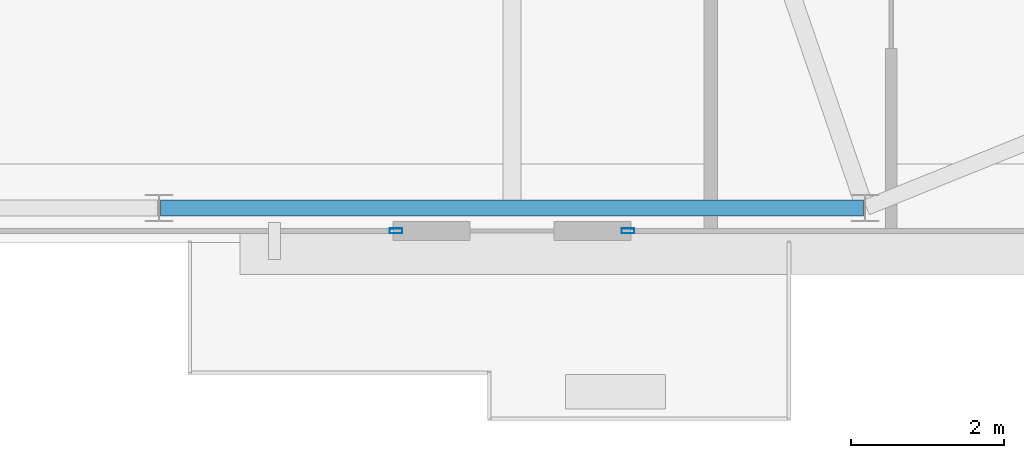
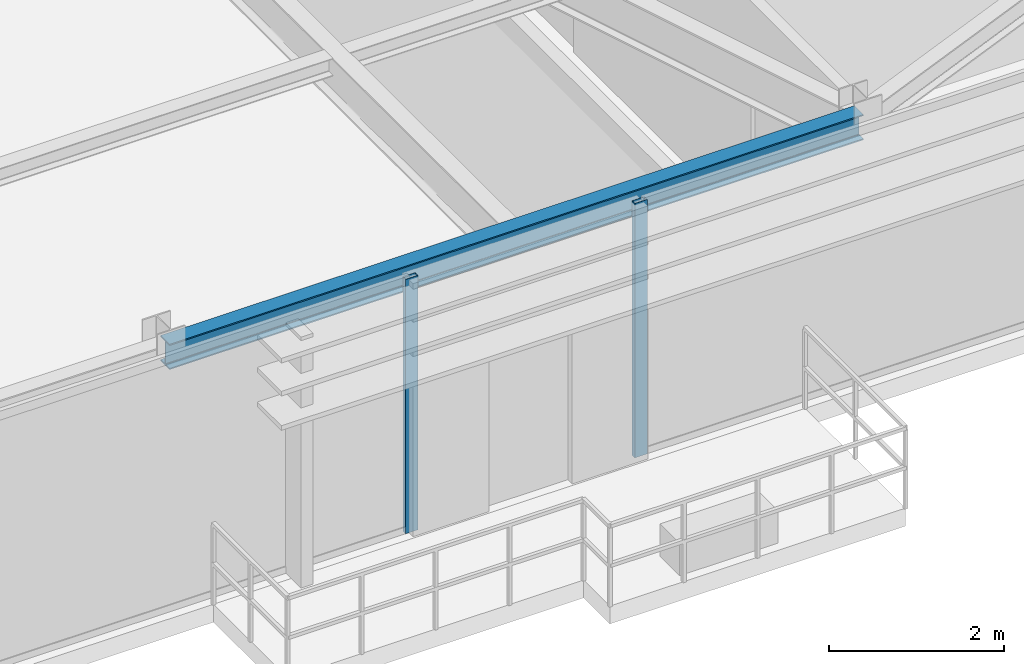
# One storey, part 12 of 31: 2 members, 1 beam, 2 elements without a shape of their own.
"""IFC4 building model written with IfcOpenShell, lengths in metres."""

from ifc_helpers import new_model, si_unit, direction, frame, origin, origin_2d, place, context, subcontext, project, spatial, hollow_rectangle, i_section, extrude, source, transform, mapped, material, layer, layer_set, material_profile, profile_set, type_object, type_shapes, element, aggregate, save


model = new_model("IFC4")

# Units and contexts
model_context = context("Model", 3, precision=1e-05, world=origin(), true_north=direction((0.0, 1.0)))
body_context = subcontext(model_context, "Body", "Model", "MODEL_VIEW")
ifc_project = project(units=[si_unit("LENGTHUNIT", "METRE"), si_unit("AREAUNIT", "SQUARE_METRE"), si_unit("VOLUMEUNIT", "CUBIC_METRE"), si_unit("PLANEANGLEUNIT", "RADIAN"), si_unit("MASSUNIT", "GRAM", prefix="KILO")], contexts=[model_context])

# Site, building, storey
site_placement = place(None, origin())
site = spatial("IfcSite", under=ifc_project, at=site_placement, CompositionType="ELEMENT")
building_placement = place(site_placement, origin())
building = spatial("IfcBuilding", under=site, at=building_placement, Name="Varnel Quay Broadcast Tower", CompositionType="ELEMENT")
storey_placement = place(building_placement, frame((0.0, 0.0, 215.0)))
storey = spatial("IfcBuildingStorey", under=building, at=storey_placement, Name="L53", CompositionType="ELEMENT", Elevation=215.0)

# Beam
ifc_material_1 = material(Name="Structural Steel CSA G40.21 350W", Category="steel")
ifc_material_profile_1 = material_profile(ifc_material_1, i_section(OverallWidth=0.205078125, OverallDepth=0.35400390625, WebThickness=0.009521484375, FlangeThickness=0.016845703125, FilletRadius=0.012939453125, at=origin_2d()), Name="W360X79")
ifc_profile_set_1 = profile_set([ifc_material_profile_1], Name="Structural Steel CSA G40.21 350W")
beam_type = type_object("IfcBeamType", Name="Beam_W360X79", PredefinedType="SPANDREL", material=ifc_profile_set_1)
shared_shape_1 = source(origin(), body_context, "Body", "SweptSolid", [
    extrude(i_section(OverallWidth=0.205078125, OverallDepth=0.35400390625, WebThickness=0.009521484375, FlangeThickness=0.016845703125, FilletRadius=0.012939453125, at=origin_2d()), origin(), (0.0, 0.0, 1.0), 9.159912109375),
])
type_shapes(beam_type, [shared_shape_1])
beam_placement = place(storey_placement, frame((38.6201171875, 10.64990234375, 3.373046875), z_axis=(1.0, 0.0, 0.0), x_axis=(0.0, 1.0, 0.0)))
element("IfcBeam", 1, at=beam_placement, inside=storey, type_object=beam_type, Name="L53 South Spandrel TC-S3-TC-S4", PredefinedType="SPANDREL", context=body_context, shape_type="MappedRepresentation", body=[
    mapped(shared_shape_1, transform((0.0, 0.0, 0.0), x_axis=(1.0, 0.0, 0.0), y_axis=(0.0, 1.0, 0.0), z_axis=(0.0, 0.0, 1.0), scale=1.0)),
])

# Curtain wall, member
ifc_material_2 = material(Name="Anodised Bronze Aluminium 6063-T6", Category="aluminium")
ifc_layer = layer(ifc_material_2, 0.18994140625, Name="Anodised Bronze Aluminium 6063-T6")
ifc_layer_set = layer_set([ifc_layer], Name="Anodised Bronze Aluminium 6063-T6")
curtain_wall_type = type_object("IfcCurtainWallType", Name="CW_UpperTower", PredefinedType="NOTDEFINED", material=ifc_layer_set)
curtain_wall_1_placement = place(storey_placement, origin())
curtain_wall_1 = element("IfcCurtainWall", 2, at=curtain_wall_1_placement, inside=storey, type_object=curtain_wall_type, Name="L53 South Unitised Curtain Wall 2", PredefinedType="NOTDEFINED")
ifc_material_profile_2 = material_profile(ifc_material_2, hollow_rectangle(XDim=0.06494140625, YDim=0.1650390625, WallThickness=0.00341796875, at=origin_2d()), Name="ALU65X165X3.5")
ifc_profile_set_2 = profile_set([ifc_material_profile_2], Name="Anodised Bronze Aluminium 6063-T6")
member_type = type_object("IfcMemberType", Name="Mull_CWS-03", PredefinedType="MULLION", material=ifc_profile_set_2)
shared_shape_2 = source(origin(), body_context, "Body", "SweptSolid", [
    extrude(hollow_rectangle(XDim=0.06494140625, YDim=0.1650390625, WallThickness=0.00341796875, at=origin_2d()), origin(), (0.0, 0.0, 1.0), 3.550048828125),
])
type_shapes(member_type, [shared_shape_2])
member_1_placement = place(storey_placement, frame((41.6875, 10.35009765625, 0.0), z_axis=(0.0, 0.0, 1.0), x_axis=(0.0, 1.0, 0.0)))
member_1 = element("IfcMember", 3, at=member_1_placement, type_object=member_type, Name="CWS-03 mullion 2", PredefinedType="MULLION", context=body_context, shape_type="MappedRepresentation", body=[
    mapped(shared_shape_2, transform((0.0, 0.0, 0.0), x_axis=(1.0, 0.0, 0.0), y_axis=(0.0, 1.0, 0.0), z_axis=(0.0, 0.0, 1.0), scale=1.0)),
])
aggregate(curtain_wall_1, [member_1])

curtain_wall_2_placement = place(storey_placement, origin())
curtain_wall_2 = element("IfcCurtainWall", 4, at=curtain_wall_2_placement, inside=storey, type_object=curtain_wall_type, Name="L53 South Unitised Curtain Wall 3", PredefinedType="NOTDEFINED")
member_2_placement = place(storey_placement, frame((44.71240234375, 10.35009765625, 0.0), z_axis=(0.0, 0.0, 1.0), x_axis=(0.0, 1.0, 0.0)))
member_2 = element("IfcMember", 5, at=member_2_placement, type_object=member_type, Name="CWS-03 mullion 1", PredefinedType="MULLION", context=body_context, shape_type="MappedRepresentation", body=[
    mapped(shared_shape_2, transform((0.0, 0.0, 0.0), x_axis=(1.0, 0.0, 0.0), y_axis=(0.0, 1.0, 0.0), z_axis=(0.0, 0.0, 1.0), scale=1.0)),
])
aggregate(curtain_wall_2, [member_2])

save(model, "model.ifc")
